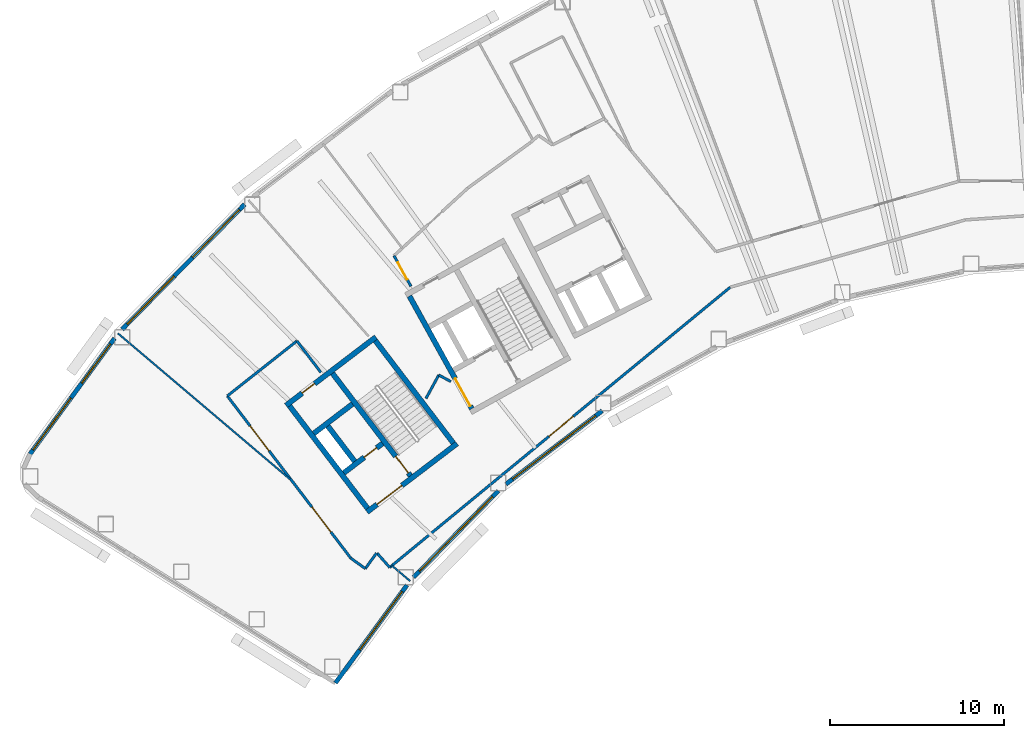
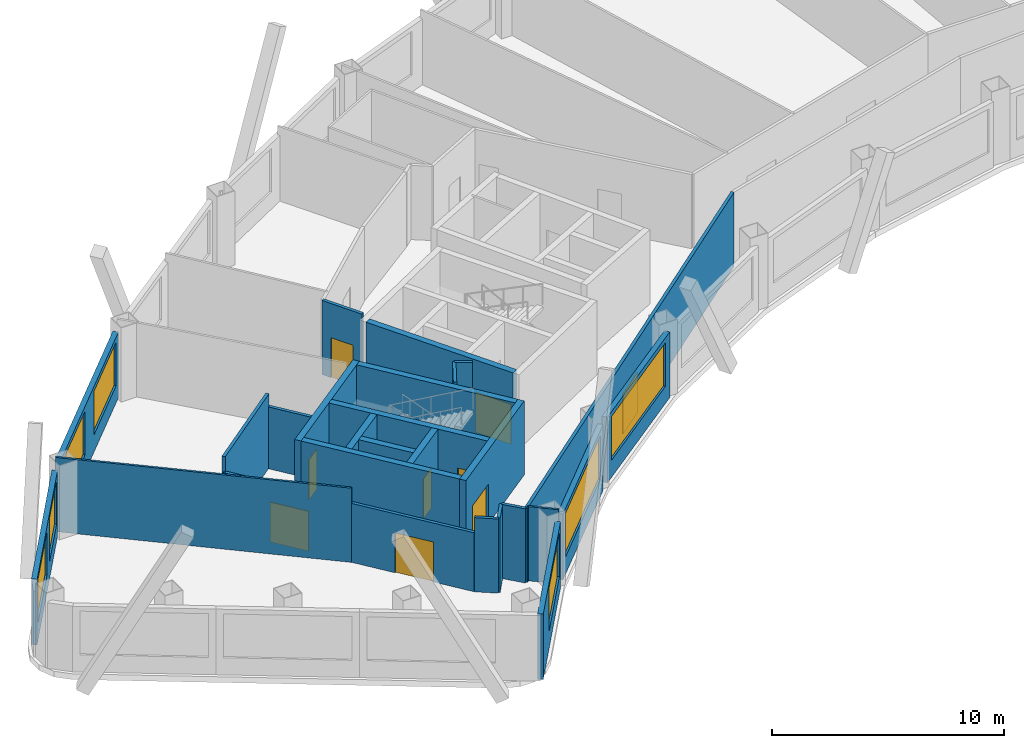
# One storey, part 5 of 14: 26 walls, 9 doors, 7 windows, 16 openings.
"""IFC4 building model written with IfcOpenShell, lengths in metres."""

from ifc_helpers import new_model, si_unit, direction, frame, frame_2d, origin, place, context, subcontext, project, spatial, rectangle, extrude, material, layer, layer_set, type_object, element, fill, save


model = new_model("IFC4")

# Units and contexts
model_context = context("Model", 3, precision=1e-05, world=origin(), true_north=direction((0.0, 1.0)))
body_context = subcontext(model_context, "Body", "Model", "MODEL_VIEW")
ifc_project = project(units=[si_unit("LENGTHUNIT", "METRE"), si_unit("AREAUNIT", "SQUARE_METRE"), si_unit("VOLUMEUNIT", "CUBIC_METRE"), si_unit("PLANEANGLEUNIT", "RADIAN"), si_unit("MASSUNIT", "GRAM", prefix="KILO")], contexts=[model_context])

# Site, building, storey
site_placement = place(None, origin())
site = spatial("IfcSite", under=ifc_project, at=site_placement, CompositionType="ELEMENT")
building_placement = place(site_placement, origin())
building = spatial("IfcBuilding", under=site, at=building_placement, Name="Tuul Gate Civic Tower", CompositionType="ELEMENT")
storey_placement = place(building_placement, frame((0.0, 0.0, 209.5)))
storey = spatial("IfcBuildingStorey", under=building, at=storey_placement, Name="Level 47", CompositionType="ELEMENT", Elevation=209.5)

# Wall, opening, door
ifc_material_1 = material(Name="Concrete C50/60", Category="concrete")
ifc_layer_1 = layer(ifc_material_1, 0.300048828125)
ifc_layer_set_1 = layer_set([ifc_layer_1], Name="Concrete C50/60")
wall_type_1 = type_object("IfcWallType", Name="Core wall C50/60", PredefinedType="SHEAR", material=ifc_layer_set_1)
wall_1_placement = place(storey_placement, frame((-31.19091796875, -13.669677734375, 0.0), z_axis=(0.0, 0.0, 1.0), x_axis=(-0.795606717756, -0.605813461934, 0.0)))
wall_1 = element("IfcWall", 1, at=wall_1_placement, inside=storey, type_object=wall_type_1, Name="Core wall", PredefinedType="SHEAR", context=body_context, shape_type="SweptSolid", body=[
    extrude(rectangle(XDim=6.5, YDim=0.300048828125, at=frame_2d((3.25, 0.0))), origin(), (0.0, 0.0, 1.0), 3.89990234375),
])
opening_1_placement = place(wall_1_placement, frame((3.97509765625, 0.0, 0.0)))
opening_1 = element("IfcOpeningElement", 2, at=opening_1_placement, cuts=wall_1, Name="Opening LB-W1-LOBBY-1", PredefinedType="OPENING", context=body_context, shape_type="SweptSolid", body=[
    extrude(rectangle(XDim=1.800048828125, YDim=2.10009765625, at=frame_2d((0.89990234375, 1.050048828125))), frame((0.0, 0.16015625, 0.0), z_axis=(0.0, -1.0, 0.0), x_axis=(1.0, 0.0, 0.0)), (0.0, 0.0, 1.0), 0.320068359375),
])
ifc_material_2 = material(Name="Steel", Category="steel")
door_type_1 = type_object("IfcDoorType", Name="Lobby door", OperationType="DOUBLE_DOOR_SINGLE_SWING", PredefinedType="DOOR", material=ifc_material_2)
door_1_placement = place(opening_1_placement, origin())
door_1 = element("IfcDoor", 3, at=door_1_placement, inside=storey, type_object=door_type_1, Name="Lobby door W1-LOBBY", OperationType="DOUBLE_DOOR_SINGLE_SWING", OverallHeight=2.10009765625, OverallWidth=1.800048828125, PredefinedType="DOOR", context=body_context, shape_type="SweptSolid", body=[
    extrude(rectangle(XDim=1.800048828125, YDim=2.10009765625, at=frame_2d((0.89990234375, 1.050048828125))), frame((0.0, 0.02490234375, 0.0), z_axis=(0.0, -1.0, 0.0), x_axis=(1.0, 0.0, 0.0)), (0.0, 0.0, 1.0), 0.050048828125),
])
fill(opening_1, door_1)

wall_2_placement = place(storey_placement, frame((-35.470947265625, -13.66064453125, 0.0), z_axis=(0.0, 0.0, 1.0), x_axis=(-0.795615822227, -0.605801504968, 0.0)))
wall_2 = element("IfcWall", 4, at=wall_2_placement, inside=storey, type_object=wall_type_1, Name="Core wall", PredefinedType="SHEAR", context=body_context, shape_type="SweptSolid", body=[
    extrude(rectangle(XDim=2.800048828125, YDim=0.300048828125, at=frame_2d((1.39990234375, 0.0))), origin(), (0.0, 0.0, 1.0), 3.89990234375),
])
opening_2_placement = place(wall_2_placement, frame((0.425048828125, 0.0, 0.0)))
opening_2 = element("IfcOpeningElement", 5, at=opening_2_placement, cuts=wall_2, Name="Opening FB-W1A1", PredefinedType="OPENING", context=body_context, shape_type="SweptSolid", body=[
    extrude(rectangle(XDim=0.89990234375, YDim=2.10009765625, at=frame_2d((0.449951171875, 1.050048828125))), frame((0.0, 0.16015625, 0.0), z_axis=(0.0, -1.0, 0.0), x_axis=(1.0, 0.0, 0.0)), (0.0, 0.0, 1.0), 0.320068359375),
])
ifc_material_3 = material(Name="Steel", Category="steel")
door_type_2 = type_object("IfcDoorType", Name="Store door", OperationType="NOTDEFINED", PredefinedType="DOOR", material=ifc_material_3)
door_2_placement = place(opening_2_placement, frame((0.89990234375, 0.0, 0.0), z_axis=(0.0, 0.0, 1.0), x_axis=(-1.0, 0.0, 0.0)))
door_2 = element("IfcDoor", 6, at=door_2_placement, inside=storey, type_object=door_type_2, Name="Store door W1A1", OperationType="SINGLE_SWING_RIGHT", OverallHeight=2.10009765625, OverallWidth=0.89990234375, PredefinedType="DOOR", context=body_context, shape_type="SweptSolid", body=[
    extrude(rectangle(XDim=0.89990234375, YDim=2.10009765625, at=frame_2d((0.449951171875, 1.050048828125))), frame((0.0, 0.02490234375, 0.0), z_axis=(0.0, -1.0, 0.0), x_axis=(1.0, 0.0, 0.0)), (0.0, 0.0, 1.0), 0.050048828125),
])
fill(opening_2, door_2)

# Wall
wall_3_placement = place(storey_placement, frame((-37.197509765625, -11.39306640625, 0.0), z_axis=(0.0, 0.0, 1.0), x_axis=(-0.795583820278, -0.605843531707, 0.0)))
element("IfcWall", 7, at=wall_3_placement, inside=storey, type_object=wall_type_1, Name="Core wall", PredefinedType="SHEAR", context=body_context, shape_type="SweptSolid", body=[
    extrude(rectangle(XDim=2.7998046875, YDim=0.300048828125, at=frame_2d((1.39990234375, 0.0))), origin(), (0.0, 0.0, 1.0), 3.89990234375),
])

# Wall, opening, door
wall_4_placement = place(storey_placement, frame((-35.855224609375, -7.543212890625, 0.0), z_axis=(0.0, 0.0, 1.0), x_axis=(-0.79563860527, -0.605771582202, 0.0)))
wall_4 = element("IfcWall", 8, at=wall_4_placement, inside=storey, type_object=wall_type_1, Name="Core wall", PredefinedType="SHEAR", context=body_context, shape_type="SweptSolid", body=[
    extrude(rectangle(XDim=6.5, YDim=0.300048828125, at=frame_2d((3.25, 0.0))), origin(), (0.0, 0.0, 1.0), 3.89990234375),
])
opening_3_placement = place(wall_4_placement, frame((4.425048828125, 0.0, 0.0)))
opening_3 = element("IfcOpeningElement", 9, at=opening_3_placement, cuts=wall_4, Name="Opening Q-D26", PredefinedType="OPENING", context=body_context, shape_type="SweptSolid", body=[
    extrude(rectangle(XDim=0.89990234375, YDim=2.10009765625, at=frame_2d((0.449951171875, 1.050048828125))), frame((0.0, 0.16015625, 0.0), z_axis=(0.0, -1.0, 0.0), x_axis=(1.0, 0.0, 0.0)), (0.0, 0.0, 1.0), 0.320068359375),
])
ifc_material_4 = material(Name="Timber door leaf", Category="wood")
door_type_3 = type_object("IfcDoorType", Name="Door D09", OperationType="NOTDEFINED", PredefinedType="DOOR", material=ifc_material_4)
door_3_placement = place(opening_3_placement, origin())
door_3 = element("IfcDoor", 10, at=door_3_placement, inside=storey, type_object=door_type_3, Name="Door Q-D26", OperationType="SINGLE_SWING_LEFT", OverallHeight=2.10009765625, OverallWidth=0.89990234375, PredefinedType="DOOR", context=body_context, shape_type="SweptSolid", body=[
    extrude(rectangle(XDim=0.89990234375, YDim=2.10009765625, at=frame_2d((0.449951171875, 1.050048828125))), frame((0.0, 0.02490234375, 0.0), z_axis=(0.0, -1.0, 0.0), x_axis=(1.0, 0.0, 0.0)), (0.0, 0.0, 1.0), 0.050048828125),
])
fill(opening_3, door_3)

# Wall
wall_5_placement = place(storey_placement, frame((-31.401123046875, -13.64111328125, 0.0), z_axis=(0.0, 0.0, 1.0), x_axis=(-0.605769822278, 0.795639945213, 0.0)))
element("IfcWall", 11, at=wall_5_placement, inside=storey, type_object=wall_type_1, Name="Core wall", PredefinedType="SHEAR", context=body_context, shape_type="SweptSolid", body=[
    extrude(rectangle(XDim=7.39990234375, YDim=0.300048828125, at=frame_2d((3.699951171875, 0.0))), origin(), (0.0, 0.0, 1.0), 3.89990234375),
])

# Wall, opening, door
wall_6_placement = place(storey_placement, frame((-33.867431640625, -15.51904296875, 0.0), z_axis=(0.0, 0.0, 1.0), x_axis=(-0.605769822278, 0.795639945213, 0.0)))
wall_6 = element("IfcWall", 12, at=wall_6_placement, inside=storey, type_object=wall_type_1, Name="Core wall", PredefinedType="SHEAR", context=body_context, shape_type="SweptSolid", body=[
    extrude(rectangle(XDim=7.39990234375, YDim=0.300048828125, at=frame_2d((3.699951171875, 0.0))), origin(), (0.0, 0.0, 1.0), 3.89990234375),
])
opening_4_placement = place(wall_6_placement, frame((0.199951171875, 0.0, 0.0)))
opening_4 = element("IfcOpeningElement", 13, at=opening_4_placement, cuts=wall_6, Name="Opening SD-ST-1", PredefinedType="OPENING", context=body_context, shape_type="SweptSolid", body=[
    extrude(rectangle(XDim=1.199951171875, YDim=2.10009765625, at=frame_2d((0.60009765625, 1.050048828125))), frame((0.0, 0.16015625, 0.0), z_axis=(0.0, -1.0, 0.0), x_axis=(1.0, 0.0, 0.0)), (0.0, 0.0, 1.0), 0.320068359375),
])
ifc_material_5 = material(Name="Steel", Category="steel")
door_type_4 = type_object("IfcDoorType", Name="Stair door", OperationType="NOTDEFINED", PredefinedType="DOOR", material=ifc_material_5)
door_4_placement = place(opening_4_placement, origin())
door_4 = element("IfcDoor", 14, at=door_4_placement, inside=storey, type_object=door_type_4, Name="Stair door ST-1", OperationType="SINGLE_SWING_LEFT", OverallHeight=2.10009765625, OverallWidth=1.199951171875, PredefinedType="DOOR", context=body_context, shape_type="SweptSolid", body=[
    extrude(rectangle(XDim=1.199951171875, YDim=2.10009765625, at=frame_2d((0.60009765625, 1.050048828125))), frame((0.0, 0.02490234375, 0.0), z_axis=(0.0, -1.0, 0.0), x_axis=(1.0, 0.0, 0.0)), (0.0, 0.0, 1.0), 0.050048828125),
])
fill(opening_4, door_4)

# Walls
wall_7_placement = place(storey_placement, frame((-37.073486328125, -14.6923828125, 0.0), z_axis=(0.0, 0.0, 1.0), x_axis=(-0.605728760074, 0.79567120673, 0.0)))
element("IfcWall", 15, at=wall_7_placement, inside=storey, type_object=wall_type_1, Name="Core wall", PredefinedType="SHEAR", context=body_context, shape_type="SweptSolid", body=[
    extrude(rectangle(XDim=2.550048828125, YDim=0.300048828125, at=frame_2d((1.27490234375, 0.0))), origin(), (0.0, 0.0, 1.0), 3.89990234375),
])
wall_8_placement = place(storey_placement, frame((-36.333984375, -17.397216796875, 0.0), z_axis=(0.0, 0.0, 1.0), x_axis=(-0.605753921168, 0.795652051458, 0.0)))
element("IfcWall", 16, at=wall_8_placement, inside=storey, type_object=wall_type_1, Name="Core wall", PredefinedType="SHEAR", context=body_context, shape_type="SweptSolid", body=[
    extrude(rectangle(XDim=7.400146484375, YDim=0.300048828125, at=frame_2d((3.7001953125, 0.0))), origin(), (0.0, 0.0, 1.0), 3.89990234375),
])

# Wall, opening, door
wall_9_placement = place(storey_placement, frame((-30.33837890625, -11.6630859375, 0.0), z_axis=(0.0, 0.0, 1.0), x_axis=(-0.484751894226, 0.874651702704, 0.0)))
wall_9 = element("IfcWall", 17, at=wall_9_placement, inside=storey, type_object=wall_type_1, Name="Core wall", PredefinedType="SHEAR", context=body_context, shape_type="SweptSolid", body=[
    extrude(rectangle(XDim=7.39990234375, YDim=0.300048828125, at=frame_2d((3.699951171875, 0.0))), origin(), (0.0, 0.0, 1.0), 3.89990234375),
])
opening_5_placement = place(wall_9_placement, frame((0.175048828125, 0.0, 0.0)))
opening_5 = element("IfcOpeningElement", 18, at=opening_5_placement, cuts=wall_9, Name="Opening LB-W2-FLOBBY-1", PredefinedType="OPENING", context=body_context, shape_type="SweptSolid", body=[
    extrude(rectangle(XDim=1.800048828125, YDim=2.10009765625, at=frame_2d((0.89990234375, 1.050048828125))), frame((0.0, 0.16015625, 0.0), z_axis=(0.0, -1.0, 0.0), x_axis=(1.0, 0.0, 0.0)), (0.0, 0.0, 1.0), 0.320068359375),
])
door_5_placement = place(opening_5_placement, frame((1.800048828125, 0.0, 0.0), z_axis=(0.0, 0.0, 1.0), x_axis=(-1.0, 0.0, 0.0)))
door_5 = element("IfcDoor", 19, at=door_5_placement, inside=storey, type_object=door_type_1, Name="Lobby door W2-FLOBBY", OperationType="DOUBLE_DOOR_SINGLE_SWING", OverallHeight=2.10009765625, OverallWidth=1.800048828125, PredefinedType="DOOR", context=body_context, shape_type="SweptSolid", body=[
    extrude(rectangle(XDim=1.800048828125, YDim=2.10009765625, at=frame_2d((0.900146484375, 1.050048828125))), frame((0.0, 0.02490234375, 0.0), z_axis=(0.0, -1.0, 0.0), x_axis=(1.0, 0.0, 0.0)), (0.0, 0.0, 1.0), 0.050048828125),
])
fill(opening_5, door_5)

ifc_material_6 = material(Name="Gypsum board partition")
ifc_layer_2 = layer(ifc_material_6, 0.14990234375)
ifc_layer_set_2 = layer_set([ifc_layer_2], Name="Gypsum board partition")
wall_type_2 = type_object("IfcWallType", Name="Corridor wall P150", PredefinedType="PARTITIONING", material=ifc_layer_set_2)
wall_10_placement = place(storey_placement, frame((-34.8125, -2.867919921875, 0.0), z_axis=(0.0, 0.0, 1.0), x_axis=(0.484735632854, -0.87466071493, 0.0)))
wall_10 = element("IfcWall", 20, at=wall_10_placement, inside=storey, type_object=wall_type_2, Name="p051", PredefinedType="PARTITIONING", context=body_context, shape_type="SweptSolid", body=[
    extrude(rectangle(XDim=2.010986328125, YDim=0.14990234375, at=frame_2d((1.00537109375, 0.0))), origin(), (0.0, 0.0, 1.0), 3.89990234375),
])
opening_6_placement = place(wall_10_placement, frame((0.45556640625, 0.0, 0.0)))
opening_6 = element("IfcOpeningElement", 21, at=opening_6_placement, cuts=wall_10, Name="Opening Q-D18", PredefinedType="OPENING", context=body_context, shape_type="SweptSolid", body=[
    extrude(rectangle(XDim=1.10009765625, YDim=2.10009765625, at=frame_2d((0.550048828125, 1.050048828125))), frame((0.0, 0.0849609375, 0.0), z_axis=(0.0, -1.0, 0.0), x_axis=(1.0, 0.0, 0.0)), (0.0, 0.0, 1.0), 0.169921875),
])
ifc_material_7 = material(Name="Timber door leaf", Category="wood")
door_type_5 = type_object("IfcDoorType", Name="Door D11", OperationType="NOTDEFINED", PredefinedType="DOOR", material=ifc_material_7)
door_6_placement = place(opening_6_placement, frame((1.10009765625, 0.0, 0.0), z_axis=(0.0, 0.0, 1.0), x_axis=(-1.0, 0.0, 0.0)))
door_6 = element("IfcDoor", 22, at=door_6_placement, inside=storey, type_object=door_type_5, Name="Door Q-D18", OperationType="SINGLE_SWING_LEFT", OverallHeight=2.10009765625, OverallWidth=1.10009765625, PredefinedType="DOOR", context=body_context, shape_type="SweptSolid", body=[
    extrude(rectangle(XDim=1.10009765625, YDim=2.10009765625, at=frame_2d((0.550048828125, 1.050048828125))), frame((0.0, 0.02490234375, 0.0), z_axis=(0.0, -1.0, 0.0), x_axis=(1.0, 0.0, 0.0)), (0.0, 0.0, 1.0), 0.050048828125),
])
fill(opening_6, door_6)

# Walls
wall_11_placement = place(storey_placement, frame((-32.236328125, -9.727294921875, 0.0), z_axis=(0.0, 0.0, 1.0), x_axis=(0.877220430249, -0.480087821918, 0.0)))
element("IfcWall", 23, at=wall_11_placement, inside=storey, type_object=wall_type_2, Name="p052", PredefinedType="PARTITIONING", context=body_context, shape_type="SweptSolid", body=[
    extrude(rectangle(XDim=0.788818359375, YDim=0.14990234375, at=frame_2d((0.39453125, 0.0))), origin(), (0.0, 0.0, 1.0), 3.89990234375),
])
wall_12_placement = place(storey_placement, frame((-32.9755859375, -11.0771484375, 0.0), z_axis=(0.0, 0.0, 1.0), x_axis=(0.479974551529, 0.877282411704, 0.0)))
element("IfcWall", 24, at=wall_12_placement, inside=storey, type_object=wall_type_2, Name="p053", PredefinedType="PARTITIONING", context=body_context, shape_type="SweptSolid", body=[
    extrude(rectangle(XDim=1.53857421875, YDim=0.14990234375, at=frame_2d((0.769287109375, 0.0))), origin(), (0.0, 0.0, 1.0), 3.89990234375),
])
wall_13_placement = place(storey_placement, frame((-44.39892578125, -10.93115234375, 0.0), z_axis=(0.0, 0.0, 1.0), x_axis=(0.784827618776, 0.619714134748, 0.0)))
element("IfcWall", 25, at=wall_13_placement, inside=storey, type_object=wall_type_2, Name="p057", PredefinedType="PARTITIONING", context=body_context, shape_type="SweptSolid", body=[
    extrude(rectangle(XDim=5.099853515625, YDim=0.14990234375, at=frame_2d((2.5498046875, 0.0))), origin(), (0.0, 0.0, 1.0), 3.89990234375),
])
wall_14_placement = place(storey_placement, frame((-37.298583984375, -20.258056640625, 0.0), z_axis=(0.0, 0.0, 1.0), x_axis=(0.810760462346, -0.58537805963, 0.0)))
element("IfcWall", 26, at=wall_14_placement, inside=storey, type_object=wall_type_2, Name="p059", PredefinedType="PARTITIONING", context=body_context, shape_type="SweptSolid", body=[
    extrude(rectangle(XDim=1.030029296875, YDim=0.14990234375, at=frame_2d((0.51513671875, 0.0))), origin(), (0.0, 0.0, 1.0), 3.89990234375),
])
for number, where, z_axis, x_axis, name in (
    (27, (-36.46337890625, -20.861083984375, 0.0), (0.0, 0.0, 1.0), (0.585304147388, 0.810813822681, 0.0), "p060"),
    (28, (-35.788330078125, -19.9677734375, 0.0), (0.0, 0.0, 1.0), (0.661438090784, -0.74999976804, 0.0), "p061"),
):
    element("IfcWall", number, at=place(storey_placement, frame(where, z_axis=z_axis, x_axis=x_axis)), inside=storey, type_object=wall_type_2, Name=name, PredefinedType="PARTITIONING", context=body_context, shape_type="SweptSolid", body=[
        extrude(rectangle(XDim=1.099853515625, YDim=0.14990234375, at=frame_2d((0.5498046875, 0.0))), origin(), (0.0, 0.0, 1.0), 3.89990234375),
    ])

# Wall, opening, door
wall_15_placement = place(storey_placement, frame((-35.060791015625, -20.792724609375, 0.0), z_axis=(0.0, 0.0, 1.0), x_axis=(0.772182539478, 0.635400759935, 0.0)))
wall_15 = element("IfcWall", 29, at=wall_15_placement, inside=storey, type_object=wall_type_2, Name="p062", PredefinedType="PARTITIONING", context=body_context, shape_type="SweptSolid", body=[
    extrude(rectangle(XDim=25.356201171875, YDim=0.14990234375, at=frame_2d((12.67822265625, 0.0))), origin(), (0.0, 0.0, 1.0), 3.89990234375),
])
opening_7_placement = place(wall_15_placement, frame((11.860595703125, 0.0, 0.0)))
opening_7 = element("IfcOpeningElement", 30, at=opening_7_placement, cuts=wall_15, Name="Opening Q-D22", PredefinedType="OPENING", context=body_context, shape_type="SweptSolid", body=[
    extrude(rectangle(XDim=1.800048828125, YDim=2.10009765625, at=frame_2d((0.89990234375, 1.050048828125))), frame((0.0, 0.0849609375, 0.0), z_axis=(0.0, -1.0, 0.0), x_axis=(1.0, 0.0, 0.0)), (0.0, 0.0, 1.0), 0.169921875),
])
ifc_material_8 = material(Name="Timber door leaf, double", Category="wood")
door_type_6 = type_object("IfcDoorType", Name="Door D18", OperationType="DOUBLE_DOOR_SINGLE_SWING", PredefinedType="DOOR", material=ifc_material_8)
door_7_placement = place(opening_7_placement, origin())
door_7 = element("IfcDoor", 31, at=door_7_placement, inside=storey, type_object=door_type_6, Name="Door Q-D22", OperationType="DOUBLE_DOOR_SINGLE_SWING", OverallHeight=2.10009765625, OverallWidth=1.800048828125, PredefinedType="DOOR", context=body_context, shape_type="SweptSolid", body=[
    extrude(rectangle(XDim=1.800048828125, YDim=2.10009765625, at=frame_2d((0.89990234375, 1.050048828125))), frame((0.0, 0.02490234375, 0.0), z_axis=(0.0, -1.0, 0.0), x_axis=(1.0, 0.0, 0.0)), (0.0, 0.0, 1.0), 0.050048828125),
])
fill(opening_7, door_7)

# Wall, openings, doors
ifc_material_9 = material(Name="Gypsum board partition")
ifc_layer_3 = layer(ifc_material_9, 0.14990234375)
ifc_layer_set_3 = layer_set([ifc_layer_3], Name="Gypsum board partition")
wall_type_3 = type_object("IfcWallType", Name="Corridor wall P150 3100 HIGH", PredefinedType="PARTITIONING", material=ifc_layer_set_3)
wall_16_placement = place(storey_placement, frame((-44.399169921875, -10.931884765625, 0.0), z_axis=(0.0, 0.0, 1.0), x_axis=(0.605769572964, -0.79564013503, 0.0)))
wall_16 = element("IfcWall", 32, at=wall_16_placement, inside=storey, type_object=wall_type_3, Name="p058", PredefinedType="PARTITIONING", context=body_context, shape_type="SweptSolid", body=[
    extrude(rectangle(XDim=11.7216796875, YDim=0.14990234375, at=frame_2d((5.86083984375, 0.0))), origin(), (0.0, 0.0, 1.0), 3.10009765625),
])
opening_8_placement = place(wall_16_placement, frame((2.169921875, 0.0, 0.0)))
opening_8 = element("IfcOpeningElement", 33, at=opening_8_placement, cuts=wall_16, Name="Opening Q-D19", PredefinedType="OPENING", context=body_context, shape_type="SweptSolid", body=[
    extrude(rectangle(XDim=1.800048828125, YDim=2.10009765625, at=frame_2d((0.89990234375, 1.050048828125))), frame((0.0, 0.0849609375, 0.0), z_axis=(0.0, -1.0, 0.0), x_axis=(1.0, 0.0, 0.0)), (0.0, 0.0, 1.0), 0.169921875),
])
opening_9_placement = place(wall_16_placement, frame((8.030517578125, 0.0, 0.0)))
opening_9 = element("IfcOpeningElement", 34, at=opening_9_placement, cuts=wall_16, Name="Opening Q-D20", PredefinedType="OPENING", context=body_context, shape_type="SweptSolid", body=[
    extrude(rectangle(XDim=1.800048828125, YDim=2.10009765625, at=frame_2d((0.89990234375, 1.050048828125))), frame((0.0, 0.0849609375, 0.0), z_axis=(0.0, -1.0, 0.0), x_axis=(1.0, 0.0, 0.0)), (0.0, 0.0, 1.0), 0.169921875),
])
door_8_placement = place(opening_8_placement, origin())
door_8 = element("IfcDoor", 35, at=door_8_placement, inside=storey, type_object=door_type_6, Name="Door Q-D19", OperationType="DOUBLE_DOOR_SINGLE_SWING", OverallHeight=2.10009765625, OverallWidth=1.800048828125, PredefinedType="DOOR", context=body_context, shape_type="SweptSolid", body=[
    extrude(rectangle(XDim=1.800048828125, YDim=2.10009765625, at=frame_2d((0.89990234375, 1.050048828125))), frame((0.0, 0.02490234375, 0.0), z_axis=(0.0, -1.0, 0.0), x_axis=(1.0, 0.0, 0.0)), (0.0, 0.0, 1.0), 0.050048828125),
])
fill(opening_8, door_8)
door_9_placement = place(opening_9_placement, frame((1.800048828125, 0.0, 0.0), z_axis=(0.0, 0.0, 1.0), x_axis=(-1.0, 0.0, 0.0)))
door_9 = element("IfcDoor", 36, at=door_9_placement, inside=storey, type_object=door_type_6, Name="Door Q-D20", OperationType="DOUBLE_DOOR_SINGLE_SWING", OverallHeight=2.10009765625, OverallWidth=1.800048828125, PredefinedType="DOOR", context=body_context, shape_type="SweptSolid", body=[
    extrude(rectangle(XDim=1.800048828125, YDim=2.10009765625, at=frame_2d((0.900146484375, 1.050048828125))), frame((0.0, 0.02490234375, 0.0), z_axis=(0.0, -1.0, 0.0), x_axis=(1.0, 0.0, 0.0)), (0.0, 0.0, 1.0), 0.050048828125),
])
fill(opening_9, door_9)

# Wall
ifc_material_10 = material(Name="Gypsum board partition")
ifc_layer_4 = layer(ifc_material_10, 0.14990234375)
ifc_layer_set_4 = layer_set([ifc_layer_4], Name="Gypsum board partition")
wall_type_4 = type_object("IfcWallType", Name="Corridor wall P150 3250 HIGH", PredefinedType="PARTITIONING", material=ifc_layer_set_4)
wall_17_placement = place(storey_placement, frame((-40.395751953125, -7.770751953125, 0.0), z_axis=(0.0, 0.0, 1.0), x_axis=(0.605939480415, -0.795510745417, 0.0)))
element("IfcWall", 37, at=wall_17_placement, inside=storey, type_object=wall_type_4, Name="p056", PredefinedType="PARTITIONING", context=body_context, shape_type="SweptSolid", body=[
    extrude(rectangle(XDim=2.269287109375, YDim=0.14990234375, at=frame_2d((1.134765625, 0.0))), origin(), (0.0, 0.0, 1.0), 3.25),
])

# Wall, openings, windows
ifc_material_11 = material(Name="Precast concrete C40/50", Category="concrete")
ifc_layer_5 = layer(ifc_material_11, 0.25)
ifc_layer_set_5 = layer_set([ifc_layer_5], Name="Precast concrete C40/50")
wall_type_5 = type_object("IfcWallType", Name="External wall", PredefinedType="STANDARD", material=ifc_layer_set_5)
wall_18_placement = place(storey_placement, frame((-43.407958984375, 0.079345703125, 0.0), z_axis=(0.0, 0.0, 1.0), x_axis=(-0.699992252886, -0.714150436463, 0.0)))
wall_18 = element("IfcWall", 38, at=wall_18_placement, inside=storey, type_object=wall_type_5, Name="External wall", PredefinedType="STANDARD", context=body_context, shape_type="SweptSolid", body=[
    extrude(rectangle(XDim=10.05322265625, YDim=0.25, at=frame_2d((5.026611328125, 0.0))), origin(), (0.0, 0.0, 1.0), 3.449951171875),
])
opening_10_placement = place(wall_18_placement, frame((0.416015625, 0.0, 0.89990234375)))
opening_10 = element("IfcOpeningElement", 39, at=opening_10_placement, cuts=wall_18, Name="Opening W22", PredefinedType="OPENING", context=body_context, shape_type="SweptSolid", body=[
    extrude(rectangle(XDim=3.85009765625, YDim=2.300048828125, at=frame_2d((1.925048828125, 1.14990234375))), frame((0.0, 0.135009765625, 0.0), z_axis=(0.0, -1.0, 0.0), x_axis=(1.0, 0.0, 0.0)), (0.0, 0.0, 1.0), 0.27001953125),
])
opening_11_placement = place(wall_18_placement, frame((5.78759765625, 0.0, 0.89990234375)))
opening_11 = element("IfcOpeningElement", 40, at=opening_11_placement, cuts=wall_18, Name="Opening W22", PredefinedType="OPENING", context=body_context, shape_type="SweptSolid", body=[
    extrude(rectangle(XDim=3.85009765625, YDim=2.300048828125, at=frame_2d((1.925048828125, 1.14990234375))), frame((0.0, 0.135009765625, 0.0), z_axis=(0.0, -1.0, 0.0), x_axis=(1.0, 0.0, 0.0)), (0.0, 0.0, 1.0), 0.27001953125),
])
ifc_material_12 = material(Name="Glass", Category="glass")
window_type_1 = type_object("IfcWindowType", Name="Window W22 3850 x 2300", PartitioningType="SINGLE_PANEL", PredefinedType="WINDOW", material=ifc_material_12)
window_1_placement = place(opening_10_placement, origin())
window_1 = element("IfcWindow", 41, at=window_1_placement, inside=storey, type_object=window_type_1, Name="Window", OverallHeight=2.300048828125, OverallWidth=3.85009765625, PartitioningType="SINGLE_PANEL", PredefinedType="WINDOW", context=body_context, shape_type="SweptSolid", body=[
    extrude(rectangle(XDim=3.85009765625, YDim=2.300048828125, at=frame_2d((1.925048828125, 1.14990234375))), frame((0.0, 0.030029296875, 0.0), z_axis=(0.0, -1.0, 0.0), x_axis=(1.0, 0.0, 0.0)), (0.0, 0.0, 1.0), 0.06005859375),
])
fill(opening_10, window_1)
window_2_placement = place(opening_11_placement, origin())
window_2 = element("IfcWindow", 42, at=window_2_placement, inside=storey, type_object=window_type_1, Name="Window", OverallHeight=2.300048828125, OverallWidth=3.85009765625, PartitioningType="SINGLE_PANEL", PredefinedType="WINDOW", context=body_context, shape_type="SweptSolid", body=[
    extrude(rectangle(XDim=3.85009765625, YDim=2.300048828125, at=frame_2d((1.925048828125, 1.14990234375))), frame((0.0, 0.030029296875, 0.0), z_axis=(0.0, -1.0, 0.0), x_axis=(1.0, 0.0, 0.0)), (0.0, 0.0, 1.0), 0.06005859375),
])
fill(opening_11, window_2)

wall_19_placement = place(storey_placement, frame((-50.882080078125, -7.615966796875, 0.0), z_axis=(0.0, 0.0, 1.0), x_axis=(-0.589874908102, -0.807494639482, 0.0)))
wall_19 = element("IfcWall", 43, at=wall_19_placement, inside=storey, type_object=wall_type_5, Name="External wall", PredefinedType="STANDARD", context=body_context, shape_type="SweptSolid", body=[
    extrude(rectangle(XDim=8.25244140625, YDim=0.25, at=frame_2d((4.126220703125, 0.0))), origin(), (0.0, 0.0, 1.0), 3.449951171875),
])
opening_12_placement = place(wall_19_placement, frame((0.39990234375, 0.0, 0.89990234375)))
opening_12 = element("IfcOpeningElement", 44, at=opening_12_placement, cuts=wall_19, Name="Opening W23", PredefinedType="OPENING", context=body_context, shape_type="SweptSolid", body=[
    extrude(rectangle(XDim=2.800048828125, YDim=2.300048828125, at=frame_2d((1.39990234375, 1.14990234375))), frame((0.0, 0.135009765625, 0.0), z_axis=(0.0, -1.0, 0.0), x_axis=(1.0, 0.0, 0.0)), (0.0, 0.0, 1.0), 0.27001953125),
])
opening_13_placement = place(wall_19_placement, frame((4.251708984375, 0.0, 0.89990234375)))
opening_13 = element("IfcOpeningElement", 45, at=opening_13_placement, cuts=wall_19, Name="Opening W21", PredefinedType="OPENING", context=body_context, shape_type="SweptSolid", body=[
    extrude(rectangle(XDim=3.699951171875, YDim=2.300048828125, at=frame_2d((1.85009765625, 1.14990234375))), frame((0.0, 0.135009765625, 0.0), z_axis=(0.0, -1.0, 0.0), x_axis=(1.0, 0.0, 0.0)), (0.0, 0.0, 1.0), 0.27001953125),
])
ifc_material_13 = material(Name="Glass", Category="glass")
window_type_2 = type_object("IfcWindowType", Name="Window W21 3700 x 2300", PartitioningType="SINGLE_PANEL", PredefinedType="WINDOW", material=ifc_material_13)
window_3_placement = place(opening_13_placement, origin())
window_3 = element("IfcWindow", 46, at=window_3_placement, inside=storey, type_object=window_type_2, Name="Window", OverallHeight=2.300048828125, OverallWidth=3.699951171875, PartitioningType="SINGLE_PANEL", PredefinedType="WINDOW", context=body_context, shape_type="SweptSolid", body=[
    extrude(rectangle(XDim=3.699951171875, YDim=2.300048828125, at=frame_2d((1.85009765625, 1.14990234375))), frame((0.0, 0.030029296875, 0.0), z_axis=(0.0, -1.0, 0.0), x_axis=(1.0, 0.0, 0.0)), (0.0, 0.0, 1.0), 0.06005859375),
])
fill(opening_13, window_3)
ifc_material_14 = material(Name="Glass", Category="glass")
window_type_3 = type_object("IfcWindowType", Name="Window W23 2800 x 2300", PartitioningType="SINGLE_PANEL", PredefinedType="WINDOW", material=ifc_material_14)
window_4_placement = place(opening_12_placement, origin())
window_4 = element("IfcWindow", 47, at=window_4_placement, inside=storey, type_object=window_type_3, Name="Window", OverallHeight=2.300048828125, OverallWidth=2.800048828125, PartitioningType="SINGLE_PANEL", PredefinedType="WINDOW", context=body_context, shape_type="SweptSolid", body=[
    extrude(rectangle(XDim=2.800048828125, YDim=2.300048828125, at=frame_2d((1.39990234375, 1.14990234375))), frame((0.0, 0.030029296875, 0.0), z_axis=(0.0, -1.0, 0.0), x_axis=(1.0, 0.0, 0.0)), (0.0, 0.0, 1.0), 0.06005859375),
])
fill(opening_12, window_4)

# Wall, opening, window
wall_20_placement = place(storey_placement, frame((-38.179931640625, -27.439208984375, 0.0), z_axis=(0.0, 0.0, 1.0), x_axis=(0.589873478547, 0.80749568377, 0.0)))
wall_20 = element("IfcWall", 48, at=wall_20_placement, inside=storey, type_object=wall_type_5, Name="External wall", PredefinedType="STANDARD", context=body_context, shape_type="SweptSolid", body=[
    extrude(rectangle(XDim=6.972412109375, YDim=0.25, at=frame_2d((3.486328125, 0.0))), origin(), (0.0, 0.0, 1.0), 3.449951171875),
])
opening_14_placement = place(wall_20_placement, frame((2.356689453125, 0.0, 0.89990234375)))
opening_14 = element("IfcOpeningElement", 49, at=opening_14_placement, cuts=wall_20, Name="Opening W25", PredefinedType="OPENING", context=body_context, shape_type="SweptSolid", body=[
    extrude(rectangle(XDim=4.14990234375, YDim=2.300048828125, at=frame_2d((2.074951171875, 1.14990234375))), frame((0.0, 0.135009765625, 0.0), z_axis=(0.0, -1.0, 0.0), x_axis=(1.0, 0.0, 0.0)), (0.0, 0.0, 1.0), 0.27001953125),
])
ifc_material_15 = material(Name="Glass", Category="glass")
window_type_4 = type_object("IfcWindowType", Name="Window W25 4150 x 2300", PartitioningType="SINGLE_PANEL", PredefinedType="WINDOW", material=ifc_material_15)
window_5_placement = place(opening_14_placement, origin())
window_5 = element("IfcWindow", 50, at=window_5_placement, inside=storey, type_object=window_type_4, Name="Window", OverallHeight=2.300048828125, OverallWidth=4.14990234375, PartitioningType="SINGLE_PANEL", PredefinedType="WINDOW", context=body_context, shape_type="SweptSolid", body=[
    extrude(rectangle(XDim=4.14990234375, YDim=2.300048828125, at=frame_2d((2.074951171875, 1.14990234375))), frame((0.0, 0.030029296875, 0.0), z_axis=(0.0, -1.0, 0.0), x_axis=(1.0, 0.0, 0.0)), (0.0, 0.0, 1.0), 0.06005859375),
])
fill(opening_14, window_5)

wall_21_placement = place(storey_placement, frame((-33.69091796875, -21.3642578125, 0.0), z_axis=(0.0, 0.0, 1.0), x_axis=(0.700029726531, 0.714113703813, 0.0)))
wall_21 = element("IfcWall", 51, at=wall_21_placement, inside=storey, type_object=wall_type_5, Name="External wall", PredefinedType="STANDARD", context=body_context, shape_type="SweptSolid", body=[
    extrude(rectangle(XDim=6.968505859375, YDim=0.25, at=frame_2d((3.484375, 0.0))), origin(), (0.0, 0.0, 1.0), 3.449951171875),
])
opening_15_placement = place(wall_21_placement, frame((0.484375, 0.0, 0.89990234375)))
opening_15 = element("IfcOpeningElement", 52, at=opening_15_placement, cuts=wall_21, Name="Opening W26", PredefinedType="OPENING", context=body_context, shape_type="SweptSolid", body=[
    extrude(rectangle(XDim=6.0, YDim=2.300048828125, at=frame_2d((3.0, 1.14990234375))), frame((0.0, 0.135009765625, 0.0), z_axis=(0.0, -1.0, 0.0), x_axis=(1.0, 0.0, 0.0)), (0.0, 0.0, 1.0), 0.27001953125),
])
ifc_material_16 = material(Name="Glass", Category="glass")
window_type_5 = type_object("IfcWindowType", Name="Window W26 6000 x 2300", PartitioningType="SINGLE_PANEL", PredefinedType="WINDOW", material=ifc_material_16)
window_6_placement = place(opening_15_placement, origin())
window_6 = element("IfcWindow", 53, at=window_6_placement, inside=storey, type_object=window_type_5, Name="Window", OverallHeight=2.300048828125, OverallWidth=6.0, PartitioningType="SINGLE_PANEL", PredefinedType="WINDOW", context=body_context, shape_type="SweptSolid", body=[
    extrude(rectangle(XDim=6.0, YDim=2.300048828125, at=frame_2d((3.0, 1.14990234375))), frame((0.0, 0.030029296875, 0.0), z_axis=(0.0, -1.0, 0.0), x_axis=(1.0, 0.0, 0.0)), (0.0, 0.0, 1.0), 0.06005859375),
])
fill(opening_15, window_6)

wall_22_placement = place(storey_placement, frame((-28.376953125, -16.00390625, 0.0), z_axis=(0.0, 0.0, 1.0), x_axis=(0.79557348273, 0.605857106566, 0.0)))
wall_22 = element("IfcWall", 54, at=wall_22_placement, inside=storey, type_object=wall_type_5, Name="External wall", PredefinedType="STANDARD", context=body_context, shape_type="SweptSolid", body=[
    extrude(rectangle(XDim=6.956787109375, YDim=0.25, at=frame_2d((3.478515625, 0.0))), origin(), (0.0, 0.0, 1.0), 3.449951171875),
])
opening_16_placement = place(wall_22_placement, frame((0.478271484375, 0.0, 0.89990234375)))
opening_16 = element("IfcOpeningElement", 55, at=opening_16_placement, cuts=wall_22, Name="Opening W26", PredefinedType="OPENING", context=body_context, shape_type="SweptSolid", body=[
    extrude(rectangle(XDim=6.0, YDim=2.300048828125, at=frame_2d((3.0, 1.14990234375))), frame((0.0, 0.135009765625, 0.0), z_axis=(0.0, -1.0, 0.0), x_axis=(1.0, 0.0, 0.0)), (0.0, 0.0, 1.0), 0.27001953125),
])
window_7_placement = place(opening_16_placement, origin())
window_7 = element("IfcWindow", 56, at=window_7_placement, inside=storey, type_object=window_type_5, Name="Window", OverallHeight=2.300048828125, OverallWidth=6.0, PartitioningType="SINGLE_PANEL", PredefinedType="WINDOW", context=body_context, shape_type="SweptSolid", body=[
    extrude(rectangle(XDim=6.0, YDim=2.300048828125, at=frame_2d((3.0, 1.14990234375))), frame((0.0, 0.030029296875, 0.0), z_axis=(0.0, -1.0, 0.0), x_axis=(1.0, 0.0, 0.0)), (0.0, 0.0, 1.0), 0.06005859375),
])
fill(opening_16, window_7)

# Walls
ifc_material_17 = material(Name="Gypsum board partition")
ifc_layer_6 = layer(ifc_material_17, 0.10009765625)
ifc_layer_set_6 = layer_set([ifc_layer_6], Name="Gypsum board partition")
wall_type_6 = type_object("IfcWallType", Name="Partition P100", PredefinedType="PARTITIONING", material=ifc_layer_set_6)
wall_23_placement = place(storey_placement, frame((-50.68408203125, -7.3369140625, 0.0), z_axis=(0.0, 0.0, 1.0), x_axis=(0.762828846954, -0.646600456429, 0.0)))
element("IfcWall", 57, at=wall_23_placement, inside=storey, type_object=wall_type_6, Name="p054", PredefinedType="PARTITIONING", context=body_context, shape_type="SweptSolid", body=[
    extrude(rectangle(XDim=12.96435546875, YDim=0.10009765625, at=frame_2d((6.482177734375, 0.0))), origin(), (0.0, 0.0, 1.0), 3.89990234375),
])
wall_24_placement = place(storey_placement, frame((-34.93310546875, -20.687744140625, 0.0), z_axis=(0.0, 0.0, 1.0), x_axis=(0.762682383891, -0.646773207008, 0.0)))
element("IfcWall", 58, at=wall_24_placement, inside=storey, type_object=wall_type_6, Name="p055", PredefinedType="PARTITIONING", context=body_context, shape_type="SweptSolid", body=[
    extrude(rectangle(XDim=1.369140625, YDim=0.10009765625, at=frame_2d((0.6845703125, 0.0))), origin(), (0.0, 0.0, 1.0), 3.89990234375),
])

save(model, "model.ifc")
